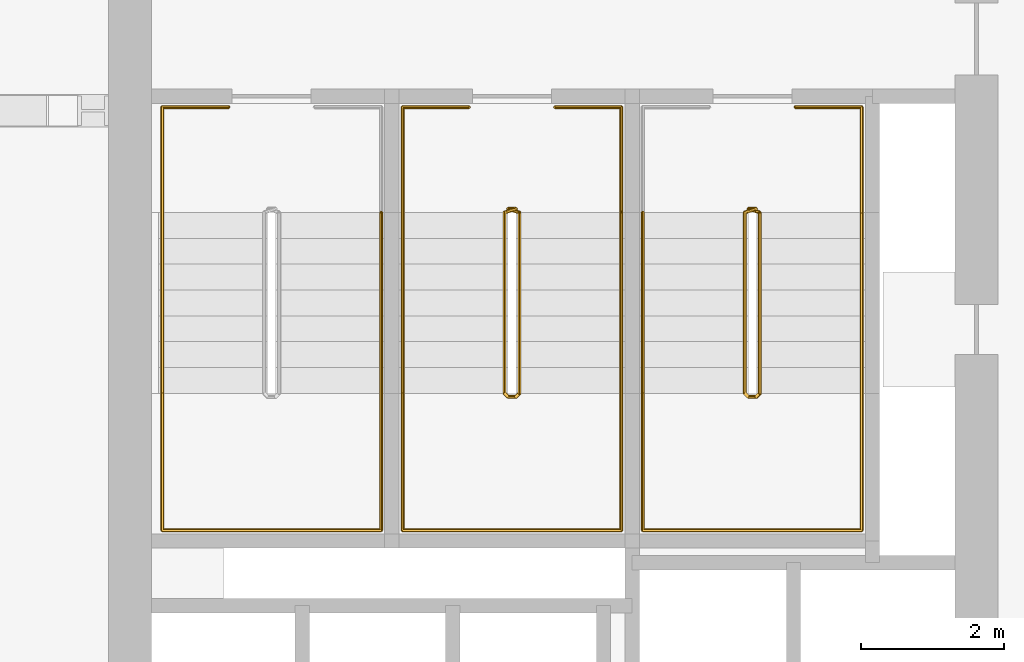
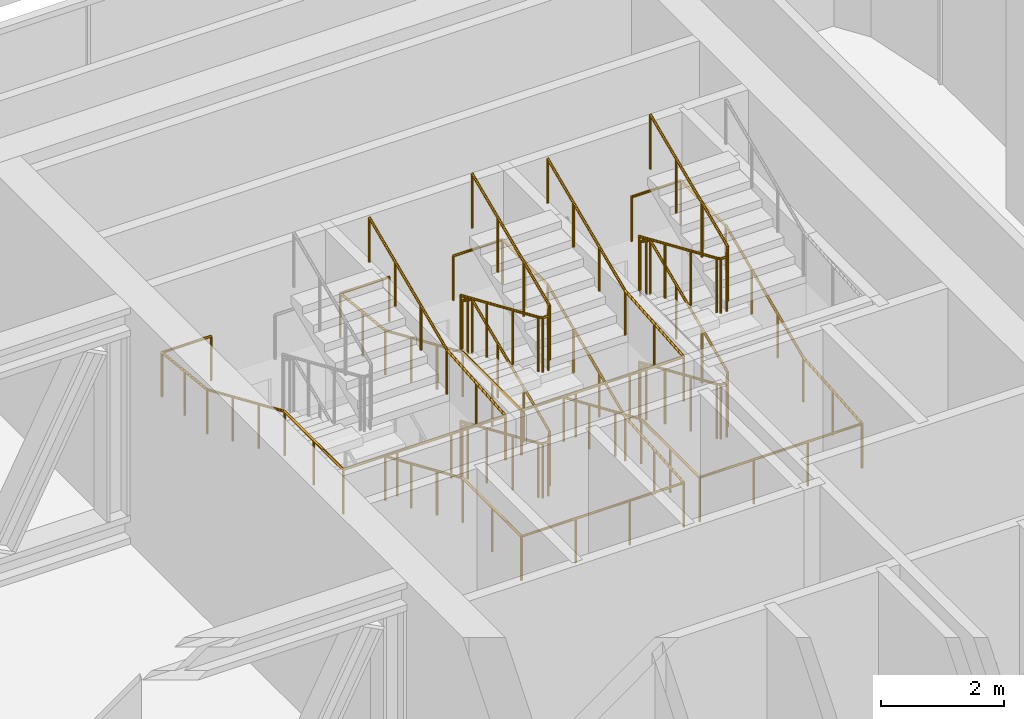
# One storey, part 34 of 35: 6 railings.
"""IFC4 building model written with IfcOpenShell, lengths in metres."""

from ifc_helpers import new_model, si_unit, direction, frame, origin, origin_2d, place, context, subcontext, project, spatial, circle, extrude, material, type_object, element, save


model = new_model("IFC4")

# Units and contexts
model_context = context("Model", 3, precision=1e-05, world=origin(), true_north=direction((0.0, 1.0)))
body_context = subcontext(model_context, "Body", "Model", "MODEL_VIEW")
ifc_project = project(units=[si_unit("LENGTHUNIT", "METRE"), si_unit("AREAUNIT", "SQUARE_METRE"), si_unit("VOLUMEUNIT", "CUBIC_METRE"), si_unit("PLANEANGLEUNIT", "RADIAN"), si_unit("MASSUNIT", "GRAM", prefix="KILO")], contexts=[model_context])

# Site, building, storey
site_placement = place(None, origin())
site = spatial("IfcSite", under=ifc_project, at=site_placement, CompositionType="ELEMENT")
building_placement = place(site_placement, origin())
building = spatial("IfcBuilding", under=site, at=building_placement, Name="Tessera Arch", CompositionType="ELEMENT")
storey_placement = place(building_placement, frame((0.0, 0.0, 26.0)))
storey = spatial("IfcBuildingStorey", under=building, at=storey_placement, Name="L04", CompositionType="ELEMENT", Elevation=26.0)

# Railings
ifc_material_1 = material(Name="Painted steel balustrade", Category="steel")
railing_type_1 = type_object("IfcRailingType", Name="Stair guard 1100", PredefinedType="GUARDRAIL", material=ifc_material_1)
railing_1_placement = place(storey_placement, frame((41.570068359375, 43.6298828125, 0.0)))
element("IfcRailing", 1, at=railing_1_placement, inside=storey, type_object=railing_type_1, Name="L04 S1b stair guard 1", PredefinedType="GUARDRAIL", context=body_context, shape_type="SweptSolid", body=[
    extrude(circle(Radius=0.02392578125, at=origin_2d()), frame((-0.00390625, 0.0, 1.076171875), z_axis=(1.0, 0.0, 0.0), x_axis=(0.0, 1.0, 0.0)), (0.0, 0.0, 1.0), 0.117919921875),
    extrude(circle(Radius=0.02392578125, at=origin_2d()), frame((0.112548828125, 0.0009765625, 1.0732421875), z_axis=(-0.698136755474, -0.217434958957, 0.682148890844), x_axis=(0.297361876254, -0.954764847777, 0.0)), (0.0, 0.0, 1.0), 0.237060546875),
    extrude(circle(Radius=0.02392578125, at=origin_2d()), frame((-0.050048828125, -0.046142578125, 1.230712890625), z_axis=(0.0, -0.917324189904, 0.398141093855), x_axis=(1.0, 0.0, 0.0)), (0.0, 0.0, 1.0), 2.755126953125),
    extrude(circle(Radius=0.02392578125, at=origin_2d()), frame((-0.052978515625, -2.56689453125, 2.326171875), z_axis=(0.707106781187, -0.707106781187, 0.0), x_axis=(0.707106781187, 0.707106781187, 0.0)), (0.0, 0.0, 1.0), 0.078857421875),
    extrude(circle(Radius=0.02392578125, at=origin_2d()), frame((-0.00390625, -2.619873046875, 2.326171875), z_axis=(1.0, 0.0, 0.0), x_axis=(0.0, 1.0, 0.0)), (0.0, 0.0, 1.0), 0.117919921875),
    extrude(circle(Radius=0.02392578125, at=origin_2d()), frame((0.108642578125, -2.62109375, 2.322509765625), z_axis=(0.29177245553, 0.29177245553, 0.91089937336), x_axis=(-0.707106781187, 0.707106781187, 0.0)), (0.0, 0.0, 1.0), 0.179443359375),
    extrude(circle(Radius=0.02392578125, at=origin_2d()), frame((0.159912109375, -2.573486328125, 2.480712890625), z_axis=(0.0, 0.917324189904, 0.398141093855), x_axis=(-1.0, 0.0, 0.0)), (0.0, 0.0, 1.0), 2.755126953125),
    extrude(circle(Radius=0.02392578125, at=origin_2d()), frame((0.163818359375, -0.051025390625, 3.576171875), z_axis=(-0.954764847777, 0.297361876254, 0.0), x_axis=(-0.297361876254, -0.954764847777, 0.0)), (0.0, 0.0, 1.0), 0.175537109375),
    extrude(circle(Radius=0.02392578125, at=origin_2d()), frame((-0.00390625, 0.0, 3.576171875), z_axis=(1.0, 0.0, 0.0), x_axis=(0.0, 1.0, 0.0)), (0.0, 0.0, 1.0), 0.117919921875),
    extrude(circle(Radius=0.02392578125, at=origin_2d()), frame((0.112548828125, 0.0009765625, 3.5732421875), z_axis=(-0.698136755474, -0.217434958957, 0.682148890844), x_axis=(0.297361876254, -0.954764847777, 0.0)), (0.0, 0.0, 1.0), 0.237060546875),
    extrude(circle(Radius=0.02392578125, at=origin_2d()), frame((-0.050048828125, -0.046142578125, 3.730712890625), z_axis=(0.0, -0.917324189904, 0.398141093855), x_axis=(1.0, 0.0, 0.0)), (0.0, 0.0, 1.0), 2.755126953125),
    extrude(circle(Radius=0.02392578125, at=origin_2d()), frame((-0.052978515625, -2.56689453125, 4.826171875), z_axis=(0.707106781187, -0.707106781187, 0.0), x_axis=(0.707106781187, 0.707106781187, 0.0)), (0.0, 0.0, 1.0), 0.078857421875),
    extrude(circle(Radius=0.02392578125, at=origin_2d()), frame((-0.00390625, -2.619873046875, 4.826171875), z_axis=(1.0, 0.0, 0.0), x_axis=(0.0, 1.0, 0.0)), (0.0, 0.0, 1.0), 0.117919921875),
    extrude(circle(Radius=0.02392578125, at=origin_2d()), frame((0.108642578125, -2.62109375, 4.822509765625), z_axis=(0.29177245553, 0.29177245553, 0.91089937336), x_axis=(-0.707106781187, 0.707106781187, 0.0)), (0.0, 0.0, 1.0), 0.179443359375),
    extrude(circle(Radius=0.02392578125, at=origin_2d()), frame((0.159912109375, -2.573486328125, 4.980712890625), z_axis=(0.0, 0.917324189904, 0.398141093855), x_axis=(-1.0, 0.0, 0.0)), (0.0, 0.0, 1.0), 2.755126953125),
    extrude(circle(Radius=0.02099609375, at=origin_2d()), origin(), (0.0, 0.0, 1.0), 1.06396484375),
    extrude(circle(Radius=0.02099609375, at=origin_2d()), frame((0.10986328125, 0.0, 0.0)), (0.0, 0.0, 1.0), 1.06396484375),
    extrude(circle(Radius=0.02099609375, at=origin_2d()), frame((-0.050048828125, -0.0498046875, 0.15625)), (0.0, 0.0, 1.0), 1.06396484375),
    extrude(circle(Radius=0.02099609375, at=origin_2d()), frame((-0.050048828125, -0.889892578125, 0.520751953125)), (0.0, 0.0, 1.0), 1.06396484375),
    extrude(circle(Radius=0.02099609375, at=origin_2d()), frame((-0.050048828125, -1.729736328125, 0.885498046875)), (0.0, 0.0, 1.0), 1.06396484375),
    extrude(circle(Radius=0.02099609375, at=origin_2d()), frame((-0.050048828125, -2.56982421875, 1.25)), (0.0, 0.0, 1.0), 1.06396484375),
    extrude(circle(Radius=0.02099609375, at=origin_2d()), frame((0.0, -2.619873046875, 1.25)), (0.0, 0.0, 1.0), 1.06396484375),
    extrude(circle(Radius=0.02099609375, at=origin_2d()), frame((0.10986328125, -2.619873046875, 1.25)), (0.0, 0.0, 1.0), 1.06396484375),
    extrude(circle(Radius=0.02099609375, at=origin_2d()), frame((0.159912109375, -2.56982421875, 1.40625)), (0.0, 0.0, 1.0), 1.06396484375),
    extrude(circle(Radius=0.02099609375, at=origin_2d()), frame((0.159912109375, -1.729736328125, 1.770751953125)), (0.0, 0.0, 1.0), 1.06396484375),
    extrude(circle(Radius=0.02099609375, at=origin_2d()), frame((0.159912109375, -0.889892578125, 2.135498046875)), (0.0, 0.0, 1.0), 1.06396484375),
    extrude(circle(Radius=0.02099609375, at=origin_2d()), frame((0.159912109375, -0.0498046875, 2.5)), (0.0, 0.0, 1.0), 1.06396484375),
    extrude(circle(Radius=0.02099609375, at=origin_2d()), frame((0.0, 0.0, 2.5)), (0.0, 0.0, 1.0), 1.06396484375),
    extrude(circle(Radius=0.02099609375, at=origin_2d()), frame((0.10986328125, 0.0, 2.5)), (0.0, 0.0, 1.0), 1.06396484375),
    extrude(circle(Radius=0.02099609375, at=origin_2d()), frame((-0.050048828125, -0.0498046875, 2.65625)), (0.0, 0.0, 1.0), 1.06396484375),
    extrude(circle(Radius=0.02099609375, at=origin_2d()), frame((-0.050048828125, -0.889892578125, 3.020751953125)), (0.0, 0.0, 1.0), 1.06396484375),
    extrude(circle(Radius=0.02099609375, at=origin_2d()), frame((-0.050048828125, -1.729736328125, 3.385498046875)), (0.0, 0.0, 1.0), 1.06396484375),
    extrude(circle(Radius=0.02099609375, at=origin_2d()), frame((-0.050048828125, -2.56982421875, 3.75)), (0.0, 0.0, 1.0), 1.06396484375),
    extrude(circle(Radius=0.02099609375, at=origin_2d()), frame((0.0, -2.619873046875, 3.75)), (0.0, 0.0, 1.0), 1.06396484375),
    extrude(circle(Radius=0.02099609375, at=origin_2d()), frame((0.10986328125, -2.619873046875, 3.75)), (0.0, 0.0, 1.0), 1.06396484375),
    extrude(circle(Radius=0.02099609375, at=origin_2d()), frame((0.159912109375, -2.56982421875, 3.90625)), (0.0, 0.0, 1.0), 1.06396484375),
    extrude(circle(Radius=0.02099609375, at=origin_2d()), frame((0.159912109375, -1.729736328125, 4.270751953125)), (0.0, 0.0, 1.0), 1.06396484375),
    extrude(circle(Radius=0.02099609375, at=origin_2d()), frame((0.159912109375, -0.889892578125, 4.635498046875)), (0.0, 0.0, 1.0), 1.06396484375),
    extrude(circle(Radius=0.02099609375, at=origin_2d()), frame((0.159912109375, -0.0498046875, 5.0)), (0.0, 0.0, 1.0), 1.06396484375),
])
railing_2_placement = place(storey_placement, frame((44.919921875, 43.6298828125, 0.0)))
element("IfcRailing", 2, at=railing_2_placement, inside=storey, type_object=railing_type_1, Name="L04 S1c stair guard 1", PredefinedType="GUARDRAIL", context=body_context, shape_type="SweptSolid", body=[
    extrude(circle(Radius=0.02392578125, at=origin_2d()), frame((-0.00390625, 0.0, 1.076171875), z_axis=(1.0, 0.0, 0.0), x_axis=(0.0, 1.0, 0.0)), (0.0, 0.0, 1.0), 0.1181640625),
    extrude(circle(Radius=0.02392578125, at=origin_2d()), frame((0.11279296875, 0.0009765625, 1.0732421875), z_axis=(-0.698136755474, -0.217434958957, 0.682148890844), x_axis=(0.297361876254, -0.954764847777, 0.0)), (0.0, 0.0, 1.0), 0.237060546875),
    extrude(circle(Radius=0.02392578125, at=origin_2d()), frame((-0.0498046875, -0.046142578125, 1.230712890625), z_axis=(0.0, -0.917324189904, 0.398141093855), x_axis=(1.0, 0.0, 0.0)), (0.0, 0.0, 1.0), 2.755126953125),
    extrude(circle(Radius=0.02392578125, at=origin_2d()), frame((-0.052734375, -2.56689453125, 2.326171875), z_axis=(0.705375805398, -0.708833529934, 0.0), x_axis=(0.708833529934, 0.705375805398, 0.0)), (0.0, 0.0, 1.0), 0.07861328125),
    extrude(circle(Radius=0.02392578125, at=origin_2d()), frame((-0.00390625, -2.619873046875, 2.326171875), z_axis=(1.0, 0.0, 0.0), x_axis=(0.0, 1.0, 0.0)), (0.0, 0.0, 1.0), 0.1181640625),
    extrude(circle(Radius=0.02392578125, at=origin_2d()), frame((0.10888671875, -2.62109375, 2.322509765625), z_axis=(0.29177245553, 0.29177245553, 0.91089937336), x_axis=(-0.707106781187, 0.707106781187, 0.0)), (0.0, 0.0, 1.0), 0.179443359375),
    extrude(circle(Radius=0.02392578125, at=origin_2d()), frame((0.16015625, -2.573486328125, 2.480712890625), z_axis=(0.0, 0.917324189904, 0.398141093855), x_axis=(-1.0, 0.0, 0.0)), (0.0, 0.0, 1.0), 2.755126953125),
    extrude(circle(Radius=0.02392578125, at=origin_2d()), frame((0.1640625, -0.051025390625, 3.576171875), z_axis=(-0.954893471113, 0.296948579431, 0.0), x_axis=(-0.296948579431, -0.954893471113, 0.0)), (0.0, 0.0, 1.0), 0.17578125),
    extrude(circle(Radius=0.02392578125, at=origin_2d()), frame((-0.00390625, 0.0, 3.576171875), z_axis=(1.0, 0.0, 0.0), x_axis=(0.0, 1.0, 0.0)), (0.0, 0.0, 1.0), 0.1181640625),
    extrude(circle(Radius=0.02392578125, at=origin_2d()), frame((0.11279296875, 0.0009765625, 3.5732421875), z_axis=(-0.698136755474, -0.217434958957, 0.682148890844), x_axis=(0.297361876254, -0.954764847777, 0.0)), (0.0, 0.0, 1.0), 0.237060546875),
    extrude(circle(Radius=0.02392578125, at=origin_2d()), frame((-0.0498046875, -0.046142578125, 3.730712890625), z_axis=(0.0, -0.917324189904, 0.398141093855), x_axis=(1.0, 0.0, 0.0)), (0.0, 0.0, 1.0), 2.755126953125),
    extrude(circle(Radius=0.02392578125, at=origin_2d()), frame((-0.052734375, -2.56689453125, 4.826171875), z_axis=(0.705375805398, -0.708833529934, 0.0), x_axis=(0.708833529934, 0.705375805398, 0.0)), (0.0, 0.0, 1.0), 0.07861328125),
    extrude(circle(Radius=0.02392578125, at=origin_2d()), frame((-0.00390625, -2.619873046875, 4.826171875), z_axis=(1.0, 0.0, 0.0), x_axis=(0.0, 1.0, 0.0)), (0.0, 0.0, 1.0), 0.1181640625),
    extrude(circle(Radius=0.02392578125, at=origin_2d()), frame((0.10888671875, -2.62109375, 4.822509765625), z_axis=(0.29177245553, 0.29177245553, 0.91089937336), x_axis=(-0.707106781187, 0.707106781187, 0.0)), (0.0, 0.0, 1.0), 0.179443359375),
    extrude(circle(Radius=0.02392578125, at=origin_2d()), frame((0.16015625, -2.573486328125, 4.980712890625), z_axis=(0.0, 0.917324189904, 0.398141093855), x_axis=(-1.0, 0.0, 0.0)), (0.0, 0.0, 1.0), 2.755126953125),
    extrude(circle(Radius=0.02099609375, at=origin_2d()), origin(), (0.0, 0.0, 1.0), 1.06396484375),
    extrude(circle(Radius=0.02099609375, at=origin_2d()), frame((0.110107421875, 0.0, 0.0)), (0.0, 0.0, 1.0), 1.06396484375),
    extrude(circle(Radius=0.02099609375, at=origin_2d()), frame((-0.0498046875, -0.0498046875, 0.15625)), (0.0, 0.0, 1.0), 1.06396484375),
    extrude(circle(Radius=0.02099609375, at=origin_2d()), frame((-0.0498046875, -0.889892578125, 0.520751953125)), (0.0, 0.0, 1.0), 1.06396484375),
    extrude(circle(Radius=0.02099609375, at=origin_2d()), frame((-0.0498046875, -1.729736328125, 0.885498046875)), (0.0, 0.0, 1.0), 1.06396484375),
    extrude(circle(Radius=0.02099609375, at=origin_2d()), frame((-0.0498046875, -2.56982421875, 1.25)), (0.0, 0.0, 1.0), 1.06396484375),
    extrude(circle(Radius=0.02099609375, at=origin_2d()), frame((0.0, -2.619873046875, 1.25)), (0.0, 0.0, 1.0), 1.06396484375),
    extrude(circle(Radius=0.02099609375, at=origin_2d()), frame((0.110107421875, -2.619873046875, 1.25)), (0.0, 0.0, 1.0), 1.06396484375),
    extrude(circle(Radius=0.02099609375, at=origin_2d()), frame((0.16015625, -2.56982421875, 1.40625)), (0.0, 0.0, 1.0), 1.06396484375),
    extrude(circle(Radius=0.02099609375, at=origin_2d()), frame((0.16015625, -1.729736328125, 1.770751953125)), (0.0, 0.0, 1.0), 1.06396484375),
    extrude(circle(Radius=0.02099609375, at=origin_2d()), frame((0.16015625, -0.889892578125, 2.135498046875)), (0.0, 0.0, 1.0), 1.06396484375),
    extrude(circle(Radius=0.02099609375, at=origin_2d()), frame((0.16015625, -0.0498046875, 2.5)), (0.0, 0.0, 1.0), 1.06396484375),
    extrude(circle(Radius=0.02099609375, at=origin_2d()), frame((0.0, 0.0, 2.5)), (0.0, 0.0, 1.0), 1.06396484375),
    extrude(circle(Radius=0.02099609375, at=origin_2d()), frame((0.110107421875, 0.0, 2.5)), (0.0, 0.0, 1.0), 1.06396484375),
    extrude(circle(Radius=0.02099609375, at=origin_2d()), frame((-0.0498046875, -0.0498046875, 2.65625)), (0.0, 0.0, 1.0), 1.06396484375),
    extrude(circle(Radius=0.02099609375, at=origin_2d()), frame((-0.0498046875, -0.889892578125, 3.020751953125)), (0.0, 0.0, 1.0), 1.06396484375),
    extrude(circle(Radius=0.02099609375, at=origin_2d()), frame((-0.0498046875, -1.729736328125, 3.385498046875)), (0.0, 0.0, 1.0), 1.06396484375),
    extrude(circle(Radius=0.02099609375, at=origin_2d()), frame((-0.0498046875, -2.56982421875, 3.75)), (0.0, 0.0, 1.0), 1.06396484375),
    extrude(circle(Radius=0.02099609375, at=origin_2d()), frame((0.0, -2.619873046875, 3.75)), (0.0, 0.0, 1.0), 1.06396484375),
    extrude(circle(Radius=0.02099609375, at=origin_2d()), frame((0.110107421875, -2.619873046875, 3.75)), (0.0, 0.0, 1.0), 1.06396484375),
    extrude(circle(Radius=0.02099609375, at=origin_2d()), frame((0.16015625, -2.56982421875, 3.90625)), (0.0, 0.0, 1.0), 1.06396484375),
    extrude(circle(Radius=0.02099609375, at=origin_2d()), frame((0.16015625, -1.729736328125, 4.270751953125)), (0.0, 0.0, 1.0), 1.06396484375),
    extrude(circle(Radius=0.02099609375, at=origin_2d()), frame((0.16015625, -0.889892578125, 4.635498046875)), (0.0, 0.0, 1.0), 1.06396484375),
    extrude(circle(Radius=0.02099609375, at=origin_2d()), frame((0.16015625, -0.0498046875, 5.0)), (0.0, 0.0, 1.0), 1.06396484375),
])
ifc_material_2 = material(Name="Painted steel handrail", Category="steel")
railing_type_2 = type_object("IfcRailingType", Name="Stair handrail 900", PredefinedType="HANDRAIL", material=ifc_material_2)
railing_3_placement = place(storey_placement, frame((37.675048828125, 45.050048828125, 2.5)))
element("IfcRailing", 3, at=railing_3_placement, inside=storey, type_object=railing_type_2, Name="L04 S1a stair handrail 2", PredefinedType="HANDRAIL", context=body_context, shape_type="SweptSolid", body=[
    extrude(circle(Radius=0.02392578125, at=origin_2d()), frame((0.00390625, 0.0, 0.8759765625), z_axis=(-1.0, 0.0, 0.0), x_axis=(0.0, -1.0, 0.0)), (0.0, 0.0, 1.0), 0.93310546875),
    extrude(circle(Radius=0.02392578125, at=origin_2d()), frame((-0.925048828125, 0.00390625, 0.87548828125), z_axis=(0.0, -0.994398150376, 0.105699188879), x_axis=(1.0, 0.0, 0.0)), (0.0, 0.0, 1.0), 1.486328125),
    extrude(circle(Radius=0.02392578125, at=origin_2d()), frame((-0.925048828125, -1.46630859375, 1.030517578125), z_axis=(0.0, -0.917324189904, 0.398141093855), x_axis=(1.0, 0.0, 0.0)), (0.0, 0.0, 1.0), 2.755126953125),
    extrude(circle(Radius=0.02392578125, at=origin_2d()), frame((-0.925048828125, -3.986083984375, 2.1259765625), z_axis=(0.0, -1.0, 0.0), x_axis=(1.0, 0.0, 0.0)), (0.0, 0.0, 1.0), 1.918212890625),
    extrude(circle(Radius=0.02392578125, at=origin_2d()), frame((-0.928955078125, -5.900146484375, 2.1259765625), z_axis=(1.0, 0.0, 0.0), x_axis=(0.0, 1.0, 0.0)), (0.0, 0.0, 1.0), 3.05810546875),
    extrude(circle(Radius=0.02392578125, at=origin_2d()), frame((2.125, -5.904052734375, 2.12548828125), z_axis=(0.0, 0.996671109807, 0.081527289146), x_axis=(-1.0, 0.0, 0.0)), (0.0, 0.0, 1.0), 1.924560546875),
    extrude(circle(Radius=0.02392578125, at=origin_2d()), frame((2.125, -3.99365234375, 2.280517578125), z_axis=(0.0, 0.917324189904, 0.398141093855), x_axis=(-1.0, 0.0, 0.0)), (0.0, 0.0, 1.0), 2.755126953125),
    extrude(circle(Radius=0.02099609375, at=origin_2d()), origin(), (0.0, 0.0, 1.0), 0.86376953125),
    extrude(circle(Radius=0.02099609375, at=origin_2d()), frame((-0.925048828125, 0.0, 0.0)), (0.0, 0.0, 1.0), 0.86376953125),
    extrude(circle(Radius=0.02099609375, at=origin_2d()), frame((-0.925048828125, -0.73486328125, 0.078125)), (0.0, 0.0, 1.0), 0.86376953125),
    extrude(circle(Radius=0.02099609375, at=origin_2d()), frame((-0.925048828125, -1.469970703125, 0.15625)), (0.0, 0.0, 1.0), 0.86376953125),
    extrude(circle(Radius=0.02099609375, at=origin_2d()), frame((-0.925048828125, -2.31005859375, 0.520751953125)), (0.0, 0.0, 1.0), 0.86376953125),
    extrude(circle(Radius=0.02099609375, at=origin_2d()), frame((-0.925048828125, -3.14990234375, 0.885498046875)), (0.0, 0.0, 1.0), 0.86376953125),
    extrude(circle(Radius=0.02099609375, at=origin_2d()), frame((-0.925048828125, -3.989990234375, 1.25)), (0.0, 0.0, 1.0), 0.86376953125),
    extrude(circle(Radius=0.02099609375, at=origin_2d()), frame((-0.925048828125, -4.945068359375, 1.25)), (0.0, 0.0, 1.0), 0.86376953125),
    extrude(circle(Radius=0.02099609375, at=origin_2d()), frame((-0.925048828125, -5.900146484375, 1.25)), (0.0, 0.0, 1.0), 0.86376953125),
    extrude(circle(Radius=0.02099609375, at=origin_2d()), frame((0.091552734375, -5.900146484375, 1.25)), (0.0, 0.0, 1.0), 0.86376953125),
    extrude(circle(Radius=0.02099609375, at=origin_2d()), frame((1.1083984375, -5.900146484375, 1.25)), (0.0, 0.0, 1.0), 0.86376953125),
    extrude(circle(Radius=0.02099609375, at=origin_2d()), frame((2.125, -5.900146484375, 1.25)), (0.0, 0.0, 1.0), 0.86376953125),
    extrude(circle(Radius=0.02099609375, at=origin_2d()), frame((2.125, -4.945068359375, 1.328125)), (0.0, 0.0, 1.0), 0.86376953125),
    extrude(circle(Radius=0.02099609375, at=origin_2d()), frame((2.125, -3.989990234375, 1.40625)), (0.0, 0.0, 1.0), 0.86376953125),
    extrude(circle(Radius=0.02099609375, at=origin_2d()), frame((2.125, -3.14990234375, 1.770751953125)), (0.0, 0.0, 1.0), 0.86376953125),
    extrude(circle(Radius=0.02099609375, at=origin_2d()), frame((2.125, -2.31005859375, 2.135498046875)), (0.0, 0.0, 1.0), 0.86376953125),
    extrude(circle(Radius=0.02099609375, at=origin_2d()), frame((2.125, -1.469970703125, 2.5)), (0.0, 0.0, 1.0), 0.86376953125),
])
railing_4_placement = place(storey_placement, frame((40.10009765625, 43.580078125, 0.15625)))
element("IfcRailing", 4, at=railing_4_placement, inside=storey, type_object=railing_type_2, Name="L04 S1b stair handrail", PredefinedType="HANDRAIL", context=body_context, shape_type="SweptSolid", body=[
    extrude(circle(Radius=0.02392578125, at=origin_2d()), frame((0.0, 0.003662109375, 0.874267578125), z_axis=(0.0, -0.917324189904, 0.398141093855), x_axis=(1.0, 0.0, 0.0)), (0.0, 0.0, 1.0), 2.755126953125),
    extrude(circle(Radius=0.02392578125, at=origin_2d()), frame((0.0, -2.51611328125, 1.9697265625), z_axis=(0.0, -1.0, 0.0), x_axis=(1.0, 0.0, 0.0)), (0.0, 0.0, 1.0), 1.918212890625),
    extrude(circle(Radius=0.02392578125, at=origin_2d()), frame((-0.00390625, -4.43017578125, 1.9697265625), z_axis=(1.0, 0.0, 0.0), x_axis=(0.0, 1.0, 0.0)), (0.0, 0.0, 1.0), 3.057861328125),
    extrude(circle(Radius=0.02392578125, at=origin_2d()), frame((3.0498046875, -4.43408203125, 1.96923828125), z_axis=(0.0, 0.996671109807, 0.081527289146), x_axis=(-1.0, 0.0, 0.0)), (0.0, 0.0, 1.0), 1.924560546875),
    extrude(circle(Radius=0.02392578125, at=origin_2d()), frame((3.0498046875, -2.523681640625, 2.124267578125), z_axis=(0.0, 0.917324189904, 0.398141093855), x_axis=(-1.0, 0.0, 0.0)), (0.0, 0.0, 1.0), 2.755126953125),
    extrude(circle(Radius=0.02392578125, at=origin_2d()), frame((3.0498046875, -0.00390625, 3.2197265625), z_axis=(0.0, 1.0, 0.0), x_axis=(-1.0, 0.0, 0.0)), (0.0, 0.0, 1.0), 1.47802734375),
    extrude(circle(Radius=0.02392578125, at=origin_2d()), frame((3.0537109375, 1.469970703125, 3.2197265625), z_axis=(-1.0, 0.0, 0.0), x_axis=(0.0, -1.0, 0.0)), (0.0, 0.0, 1.0), 0.932861328125),
    extrude(circle(Radius=0.02099609375, at=origin_2d()), origin(), (0.0, 0.0, 1.0), 0.86376953125),
    extrude(circle(Radius=0.02099609375, at=origin_2d()), frame((0.0, -0.840087890625, 0.364501953125)), (0.0, 0.0, 1.0), 0.86376953125),
    extrude(circle(Radius=0.02099609375, at=origin_2d()), frame((0.0, -1.679931640625, 0.729248046875)), (0.0, 0.0, 1.0), 0.86376953125),
    extrude(circle(Radius=0.02099609375, at=origin_2d()), frame((0.0, -2.52001953125, 1.09375)), (0.0, 0.0, 1.0), 0.86376953125),
    extrude(circle(Radius=0.02099609375, at=origin_2d()), frame((0.0, -3.47509765625, 1.09375)), (0.0, 0.0, 1.0), 0.86376953125),
    extrude(circle(Radius=0.02099609375, at=origin_2d()), frame((0.0, -4.43017578125, 1.09375)), (0.0, 0.0, 1.0), 0.86376953125),
    extrude(circle(Radius=0.02099609375, at=origin_2d()), frame((1.0166015625, -4.43017578125, 1.09375)), (0.0, 0.0, 1.0), 0.86376953125),
    extrude(circle(Radius=0.02099609375, at=origin_2d()), frame((2.033203125, -4.43017578125, 1.09375)), (0.0, 0.0, 1.0), 0.86376953125),
    extrude(circle(Radius=0.02099609375, at=origin_2d()), frame((3.0498046875, -4.43017578125, 1.09375)), (0.0, 0.0, 1.0), 0.86376953125),
    extrude(circle(Radius=0.02099609375, at=origin_2d()), frame((3.0498046875, -3.47509765625, 1.171875)), (0.0, 0.0, 1.0), 0.86376953125),
    extrude(circle(Radius=0.02099609375, at=origin_2d()), frame((3.0498046875, -2.52001953125, 1.25)), (0.0, 0.0, 1.0), 0.86376953125),
    extrude(circle(Radius=0.02099609375, at=origin_2d()), frame((3.0498046875, -1.679931640625, 1.614501953125)), (0.0, 0.0, 1.0), 0.86376953125),
    extrude(circle(Radius=0.02099609375, at=origin_2d()), frame((3.0498046875, -0.840087890625, 1.979248046875)), (0.0, 0.0, 1.0), 0.86376953125),
    extrude(circle(Radius=0.02099609375, at=origin_2d()), frame((3.0498046875, 0.0, 2.34375)), (0.0, 0.0, 1.0), 0.86376953125),
    extrude(circle(Radius=0.02099609375, at=origin_2d()), frame((3.0498046875, 0.73486328125, 2.34375)), (0.0, 0.0, 1.0), 0.86376953125),
    extrude(circle(Radius=0.02099609375, at=origin_2d()), frame((3.0498046875, 1.469970703125, 2.34375)), (0.0, 0.0, 1.0), 0.86376953125),
    extrude(circle(Radius=0.02099609375, at=origin_2d()), frame((2.125, 1.469970703125, 2.34375)), (0.0, 0.0, 1.0), 0.86376953125),
])
railing_5_placement = place(storey_placement, frame((41.02490234375, 45.050048828125, 2.5)))
element("IfcRailing", 5, at=railing_5_placement, inside=storey, type_object=railing_type_2, Name="L04 S1b stair handrail 2", PredefinedType="HANDRAIL", context=body_context, shape_type="SweptSolid", body=[
    extrude(circle(Radius=0.02392578125, at=origin_2d()), frame((0.00390625, 0.0, 0.8759765625), z_axis=(-1.0, 0.0, 0.0), x_axis=(0.0, -1.0, 0.0)), (0.0, 0.0, 1.0), 0.932861328125),
    extrude(circle(Radius=0.02392578125, at=origin_2d()), frame((-0.9248046875, 0.00390625, 0.87548828125), z_axis=(0.0, -0.994398150376, 0.105699188879), x_axis=(1.0, 0.0, 0.0)), (0.0, 0.0, 1.0), 1.486328125),
    extrude(circle(Radius=0.02392578125, at=origin_2d()), frame((-0.9248046875, -1.46630859375, 1.030517578125), z_axis=(0.0, -0.917324189904, 0.398141093855), x_axis=(1.0, 0.0, 0.0)), (0.0, 0.0, 1.0), 2.755126953125),
    extrude(circle(Radius=0.02392578125, at=origin_2d()), frame((-0.9248046875, -3.986083984375, 2.1259765625), z_axis=(0.0, -1.0, 0.0), x_axis=(1.0, 0.0, 0.0)), (0.0, 0.0, 1.0), 1.918212890625),
    extrude(circle(Radius=0.02392578125, at=origin_2d()), frame((-0.9287109375, -5.900146484375, 2.1259765625), z_axis=(1.0, 0.0, 0.0), x_axis=(0.0, 1.0, 0.0)), (0.0, 0.0, 1.0), 3.057861328125),
    extrude(circle(Radius=0.02392578125, at=origin_2d()), frame((2.125, -5.904052734375, 2.12548828125), z_axis=(0.0, 0.996671109807, 0.081527289146), x_axis=(-1.0, 0.0, 0.0)), (0.0, 0.0, 1.0), 1.924560546875),
    extrude(circle(Radius=0.02392578125, at=origin_2d()), frame((2.125, -3.99365234375, 2.280517578125), z_axis=(0.0, 0.917324189904, 0.398141093855), x_axis=(-1.0, 0.0, 0.0)), (0.0, 0.0, 1.0), 2.755126953125),
    extrude(circle(Radius=0.02099609375, at=origin_2d()), origin(), (0.0, 0.0, 1.0), 0.86376953125),
    extrude(circle(Radius=0.02099609375, at=origin_2d()), frame((-0.9248046875, 0.0, 0.0)), (0.0, 0.0, 1.0), 0.86376953125),
    extrude(circle(Radius=0.02099609375, at=origin_2d()), frame((-0.9248046875, -0.73486328125, 0.078125)), (0.0, 0.0, 1.0), 0.86376953125),
    extrude(circle(Radius=0.02099609375, at=origin_2d()), frame((-0.9248046875, -1.469970703125, 0.15625)), (0.0, 0.0, 1.0), 0.86376953125),
    extrude(circle(Radius=0.02099609375, at=origin_2d()), frame((-0.9248046875, -2.31005859375, 0.520751953125)), (0.0, 0.0, 1.0), 0.86376953125),
    extrude(circle(Radius=0.02099609375, at=origin_2d()), frame((-0.9248046875, -3.14990234375, 0.885498046875)), (0.0, 0.0, 1.0), 0.86376953125),
    extrude(circle(Radius=0.02099609375, at=origin_2d()), frame((-0.9248046875, -3.989990234375, 1.25)), (0.0, 0.0, 1.0), 0.86376953125),
    extrude(circle(Radius=0.02099609375, at=origin_2d()), frame((-0.9248046875, -4.945068359375, 1.25)), (0.0, 0.0, 1.0), 0.86376953125),
    extrude(circle(Radius=0.02099609375, at=origin_2d()), frame((-0.9248046875, -5.900146484375, 1.25)), (0.0, 0.0, 1.0), 0.86376953125),
    extrude(circle(Radius=0.02099609375, at=origin_2d()), frame((0.091796875, -5.900146484375, 1.25)), (0.0, 0.0, 1.0), 0.86376953125),
    extrude(circle(Radius=0.02099609375, at=origin_2d()), frame((1.1083984375, -5.900146484375, 1.25)), (0.0, 0.0, 1.0), 0.86376953125),
    extrude(circle(Radius=0.02099609375, at=origin_2d()), frame((2.125, -5.900146484375, 1.25)), (0.0, 0.0, 1.0), 0.86376953125),
    extrude(circle(Radius=0.02099609375, at=origin_2d()), frame((2.125, -4.945068359375, 1.328125)), (0.0, 0.0, 1.0), 0.86376953125),
    extrude(circle(Radius=0.02099609375, at=origin_2d()), frame((2.125, -3.989990234375, 1.40625)), (0.0, 0.0, 1.0), 0.86376953125),
    extrude(circle(Radius=0.02099609375, at=origin_2d()), frame((2.125, -3.14990234375, 1.770751953125)), (0.0, 0.0, 1.0), 0.86376953125),
    extrude(circle(Radius=0.02099609375, at=origin_2d()), frame((2.125, -2.31005859375, 2.135498046875)), (0.0, 0.0, 1.0), 0.86376953125),
    extrude(circle(Radius=0.02099609375, at=origin_2d()), frame((2.125, -1.469970703125, 2.5)), (0.0, 0.0, 1.0), 0.86376953125),
])
railing_6_placement = place(storey_placement, frame((43.449951171875, 43.580078125, 0.15625)))
element("IfcRailing", 6, at=railing_6_placement, inside=storey, type_object=railing_type_2, Name="L04 S1c stair handrail", PredefinedType="HANDRAIL", context=body_context, shape_type="SweptSolid", body=[
    extrude(circle(Radius=0.02392578125, at=origin_2d()), frame((0.0, 0.003662109375, 0.874267578125), z_axis=(0.0, -0.917324189904, 0.398141093855), x_axis=(1.0, 0.0, 0.0)), (0.0, 0.0, 1.0), 2.755126953125),
    extrude(circle(Radius=0.02392578125, at=origin_2d()), frame((0.0, -2.51611328125, 1.9697265625), z_axis=(0.0, -1.0, 0.0), x_axis=(1.0, 0.0, 0.0)), (0.0, 0.0, 1.0), 1.918212890625),
    extrude(circle(Radius=0.02392578125, at=origin_2d()), frame((-0.00390625, -4.43017578125, 1.9697265625), z_axis=(1.0, 0.0, 0.0), x_axis=(0.0, 1.0, 0.0)), (0.0, 0.0, 1.0), 3.05810546875),
    extrude(circle(Radius=0.02392578125, at=origin_2d()), frame((3.050048828125, -4.43408203125, 1.96923828125), z_axis=(0.0, 0.996671109807, 0.081527289146), x_axis=(-1.0, 0.0, 0.0)), (0.0, 0.0, 1.0), 1.924560546875),
    extrude(circle(Radius=0.02392578125, at=origin_2d()), frame((3.050048828125, -2.523681640625, 2.124267578125), z_axis=(0.0, 0.917324189904, 0.398141093855), x_axis=(-1.0, 0.0, 0.0)), (0.0, 0.0, 1.0), 2.755126953125),
    extrude(circle(Radius=0.02392578125, at=origin_2d()), frame((3.050048828125, -0.00390625, 3.2197265625), z_axis=(0.0, 1.0, 0.0), x_axis=(-1.0, 0.0, 0.0)), (0.0, 0.0, 1.0), 1.47802734375),
    extrude(circle(Radius=0.02392578125, at=origin_2d()), frame((3.053955078125, 1.469970703125, 3.2197265625), z_axis=(-1.0, 0.0, 0.0), x_axis=(0.0, -1.0, 0.0)), (0.0, 0.0, 1.0), 0.93310546875),
    extrude(circle(Radius=0.02099609375, at=origin_2d()), origin(), (0.0, 0.0, 1.0), 0.86376953125),
    extrude(circle(Radius=0.02099609375, at=origin_2d()), frame((0.0, -0.840087890625, 0.364501953125)), (0.0, 0.0, 1.0), 0.86376953125),
    extrude(circle(Radius=0.02099609375, at=origin_2d()), frame((0.0, -1.679931640625, 0.729248046875)), (0.0, 0.0, 1.0), 0.86376953125),
    extrude(circle(Radius=0.02099609375, at=origin_2d()), frame((0.0, -2.52001953125, 1.09375)), (0.0, 0.0, 1.0), 0.86376953125),
    extrude(circle(Radius=0.02099609375, at=origin_2d()), frame((0.0, -3.47509765625, 1.09375)), (0.0, 0.0, 1.0), 0.86376953125),
    extrude(circle(Radius=0.02099609375, at=origin_2d()), frame((0.0, -4.43017578125, 1.09375)), (0.0, 0.0, 1.0), 0.86376953125),
    extrude(circle(Radius=0.02099609375, at=origin_2d()), frame((1.0166015625, -4.43017578125, 1.09375)), (0.0, 0.0, 1.0), 0.86376953125),
    extrude(circle(Radius=0.02099609375, at=origin_2d()), frame((2.033447265625, -4.43017578125, 1.09375)), (0.0, 0.0, 1.0), 0.86376953125),
    extrude(circle(Radius=0.02099609375, at=origin_2d()), frame((3.050048828125, -4.43017578125, 1.09375)), (0.0, 0.0, 1.0), 0.86376953125),
    extrude(circle(Radius=0.02099609375, at=origin_2d()), frame((3.050048828125, -3.47509765625, 1.171875)), (0.0, 0.0, 1.0), 0.86376953125),
    extrude(circle(Radius=0.02099609375, at=origin_2d()), frame((3.050048828125, -2.52001953125, 1.25)), (0.0, 0.0, 1.0), 0.86376953125),
    extrude(circle(Radius=0.02099609375, at=origin_2d()), frame((3.050048828125, -1.679931640625, 1.614501953125)), (0.0, 0.0, 1.0), 0.86376953125),
    extrude(circle(Radius=0.02099609375, at=origin_2d()), frame((3.050048828125, -0.840087890625, 1.979248046875)), (0.0, 0.0, 1.0), 0.86376953125),
    extrude(circle(Radius=0.02099609375, at=origin_2d()), frame((3.050048828125, 0.0, 2.34375)), (0.0, 0.0, 1.0), 0.86376953125),
    extrude(circle(Radius=0.02099609375, at=origin_2d()), frame((3.050048828125, 0.73486328125, 2.34375)), (0.0, 0.0, 1.0), 0.86376953125),
    extrude(circle(Radius=0.02099609375, at=origin_2d()), frame((3.050048828125, 1.469970703125, 2.34375)), (0.0, 0.0, 1.0), 0.86376953125),
    extrude(circle(Radius=0.02099609375, at=origin_2d()), frame((2.125, 1.469970703125, 2.34375)), (0.0, 0.0, 1.0), 0.86376953125),
])

save(model, "model.ifc")
